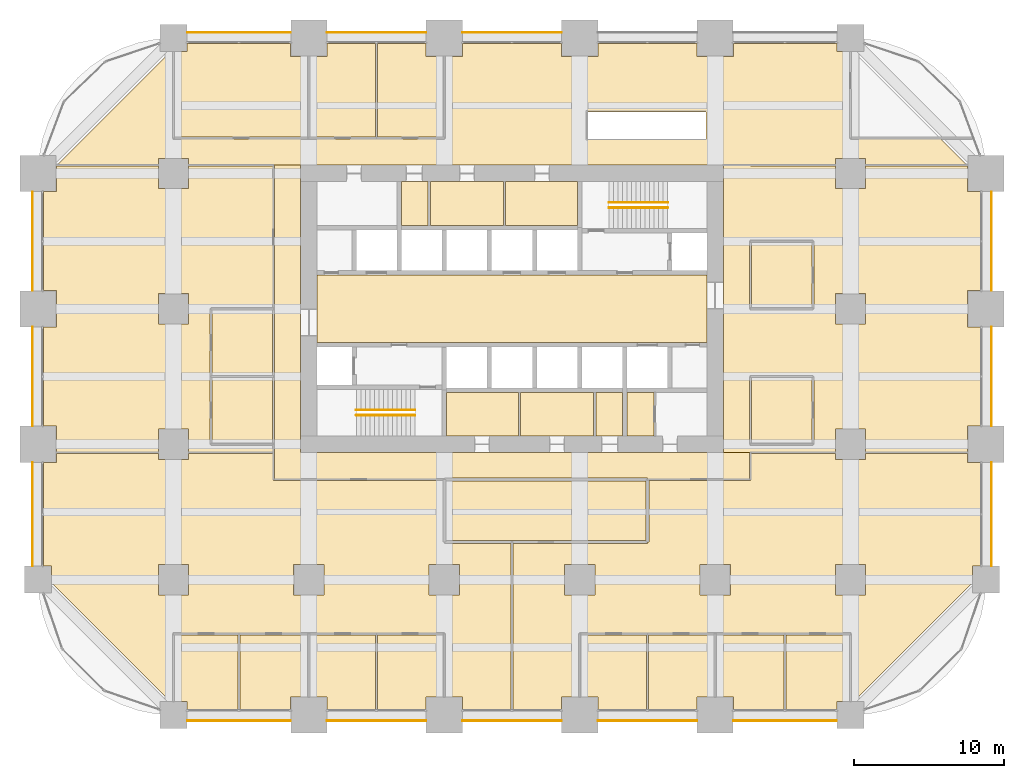
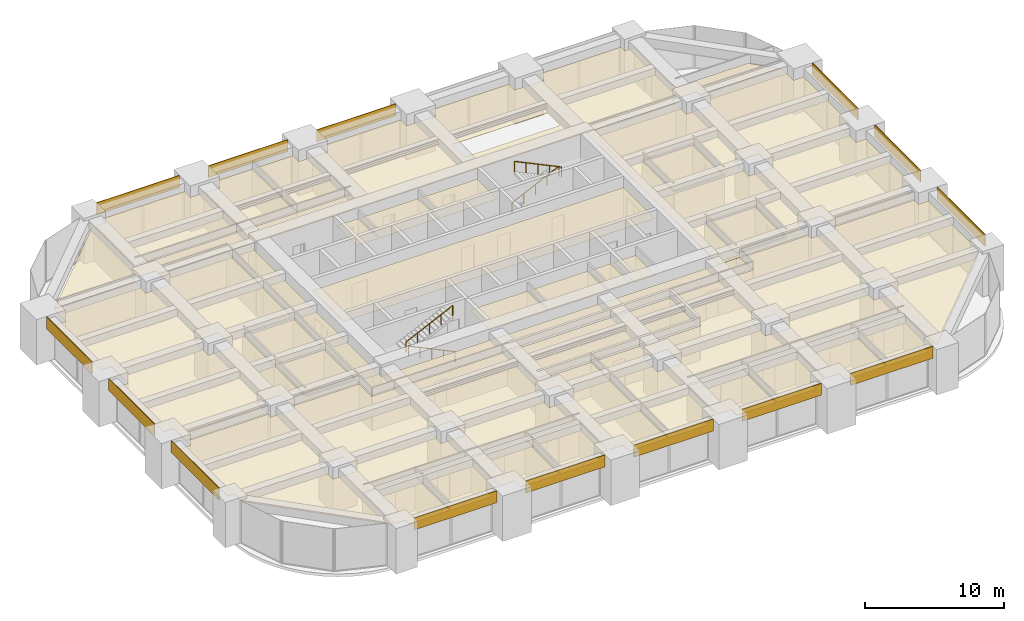
# One storey, part 40 of 41: 44 coverings, 4 railings.
"""IFC4 building model written with IfcOpenShell, lengths in metres."""

from ifc_helpers import new_model, si_unit, direction, frame, frame_2d, origin, origin_2d, place, context, subcontext, project, spatial, polyline, rectangle, circle, outline, extrude, material, layer, layer_set, type_object, element, save


model = new_model("IFC4")

# Units and contexts
model_context = context("Model", 3, precision=1e-05, world=origin(), true_north=direction((0.0, 1.0)))
body_context = subcontext(model_context, "Body", "Model", "MODEL_VIEW")
ifc_project = project(units=[si_unit("LENGTHUNIT", "METRE"), si_unit("AREAUNIT", "SQUARE_METRE"), si_unit("VOLUMEUNIT", "CUBIC_METRE"), si_unit("PLANEANGLEUNIT", "RADIAN"), si_unit("MASSUNIT", "GRAM", prefix="KILO")], contexts=[model_context])

# Site, building, storey
site_placement = place(None, origin())
site = spatial("IfcSite", under=ifc_project, at=site_placement, CompositionType="ELEMENT")
building_placement = place(site_placement, origin())
building = spatial("IfcBuilding", under=site, at=building_placement, Name="Zorevar Civic Tower", CompositionType="ELEMENT")
storey_placement = place(building_placement, frame((0.0, 0.0, 101.0)))
storey = spatial("IfcBuildingStorey", under=building, at=storey_placement, Name="L24", CompositionType="ELEMENT", Elevation=101.0)

# Railings
ifc_material_1 = material(Name="Black steel handrail", Category="steel")
railing_type = type_object("IfcRailingType", Name="Handrail HR1 900", PredefinedType="HANDRAIL", material=ifc_material_1)
railing_1_placement = place(storey_placement, frame((25.050048828125, 19.925048828125, 0.142822265625)))
element("IfcRailing", 1, at=railing_1_placement, inside=storey, type_object=railing_type, Name="Handrail HR1 ST1 L24", PredefinedType="HANDRAIL", context=body_context, shape_type="SweptSolid", body=[
    extrude(circle(Radius=0.02392578125, at=origin_2d()), frame((0.0, 0.0, 0.8759765625), z_axis=(-0.902863652845, 0.0, 0.429926998885), x_axis=(0.0, -1.0, 0.0)), (0.0, 0.0, 1.0), 4.31982421875),
    extrude(circle(Radius=0.02099609375, at=origin_2d()), origin(), (0.0, 0.0, 1.0), 0.851806640625),
    extrude(circle(Radius=0.02099609375, at=origin_2d()), frame((-0.97509765625, 0.0, 0.46435546875)), (0.0, 0.0, 1.0), 0.851806640625),
    extrude(circle(Radius=0.02099609375, at=origin_2d()), frame((-1.9501953125, 0.0, 0.9287109375)), (0.0, 0.0, 1.0), 0.851806640625),
    extrude(circle(Radius=0.02099609375, at=origin_2d()), frame((-2.925048828125, 0.0, 1.392822265625)), (0.0, 0.0, 1.0), 0.851806640625),
    extrude(circle(Radius=0.02099609375, at=origin_2d()), frame((-3.900146484375, 0.0, 1.857177734375)), (0.0, 0.0, 1.0), 0.851806640625),
])
for number, where, name in (
    (2, (21.14990234375, 20.27490234375, 2.142822265625), "Handrail HR1 ST1 L24"),
    (3, (37.949951171875, 34.074951171875, 0.142822265625), "Handrail HR1 ST2 L24"),
):
    element("IfcRailing", number, at=place(storey_placement, frame(where)), inside=storey, type_object=railing_type, Name=name, PredefinedType="HANDRAIL", context=body_context, shape_type="SweptSolid", body=[
        extrude(circle(Radius=0.02392578125, at=origin_2d()), frame((0.0, 0.0, 0.8759765625), z_axis=(0.902863652845, 0.0, 0.429926998885), x_axis=(0.0, 1.0, 0.0)), (0.0, 0.0, 1.0), 4.31982421875),
        extrude(circle(Radius=0.02099609375, at=origin_2d()), origin(), (0.0, 0.0, 1.0), 0.851806640625),
        extrude(circle(Radius=0.02099609375, at=origin_2d()), frame((0.97509765625, 0.0, 0.46435546875)), (0.0, 0.0, 1.0), 0.851806640625),
        extrude(circle(Radius=0.02099609375, at=origin_2d()), frame((1.9501953125, 0.0, 0.9287109375)), (0.0, 0.0, 1.0), 0.851806640625),
        extrude(circle(Radius=0.02099609375, at=origin_2d()), frame((2.925048828125, 0.0, 1.392822265625)), (0.0, 0.0, 1.0), 0.851806640625),
        extrude(circle(Radius=0.02099609375, at=origin_2d()), frame((3.900146484375, 0.0, 1.857177734375)), (0.0, 0.0, 1.0), 0.851806640625),
    ])
railing_2_placement = place(storey_placement, frame((41.85009765625, 33.72509765625, 2.142822265625)))
element("IfcRailing", 4, at=railing_2_placement, inside=storey, type_object=railing_type, Name="Handrail HR1 ST2 L24", PredefinedType="HANDRAIL", context=body_context, shape_type="SweptSolid", body=[
    extrude(circle(Radius=0.02392578125, at=origin_2d()), frame((0.0, 0.0, 0.8759765625), z_axis=(-0.902863652845, 0.0, 0.429926998885), x_axis=(0.0, -1.0, 0.0)), (0.0, 0.0, 1.0), 4.31982421875),
    extrude(circle(Radius=0.02099609375, at=origin_2d()), origin(), (0.0, 0.0, 1.0), 0.851806640625),
    extrude(circle(Radius=0.02099609375, at=origin_2d()), frame((-0.97509765625, 0.0, 0.46435546875)), (0.0, 0.0, 1.0), 0.851806640625),
    extrude(circle(Radius=0.02099609375, at=origin_2d()), frame((-1.9501953125, 0.0, 0.9287109375)), (0.0, 0.0, 1.0), 0.851806640625),
    extrude(circle(Radius=0.02099609375, at=origin_2d()), frame((-2.925048828125, 0.0, 1.392822265625)), (0.0, 0.0, 1.0), 0.851806640625),
    extrude(circle(Radius=0.02099609375, at=origin_2d()), frame((-3.900146484375, 0.0, 1.857177734375)), (0.0, 0.0, 1.0), 0.851806640625),
])

# Coverings
ifc_material_2 = material(Name="Moisture-resistant gypsum board")
ifc_layer_1 = layer(ifc_material_2, 0.012451171875)
ifc_layer_set_1 = layer_set([ifc_layer_1], Name="Moisture-resistant ceiling SC3")
covering_type_1 = type_object("IfcCoveringType", Name="Moisture-resistant ceiling SC3", PredefinedType="CEILING", material=ifc_layer_set_1)
covering_1_placement = place(storey_placement, frame((0.0, 0.0, 3.0)))
element("IfcCovering", 5, at=covering_1_placement, inside=storey, type_object=covering_type_1, Name="Ceiling L24-05", PredefinedType="CEILING", context=body_context, shape_type="SweptSolid", body=[
    extrude(outline(polyline([(31.925048828125, 18.550048828125), (31.925048828125, 21.449951171875), (27.14990234375, 21.449951171875), (27.14990234375, 18.550048828125), (31.925048828125, 18.550048828125)])), origin(), (0.0, 0.0, 1.0), 0.012451171875),
])
covering_2_placement = place(storey_placement, frame((0.0, 0.0, 3.0)))
element("IfcCovering", 6, at=covering_2_placement, inside=storey, type_object=covering_type_1, Name="Ceiling L24-06", PredefinedType="CEILING", context=body_context, shape_type="SweptSolid", body=[
    extrude(outline(polyline([(36.925048828125, 18.550048828125), (36.925048828125, 21.449951171875), (32.074951171875, 21.449951171875), (32.074951171875, 18.550048828125), (36.925048828125, 18.550048828125)])), origin(), (0.0, 0.0, 1.0), 0.012451171875),
])
covering_3_placement = place(storey_placement, frame((0.0, 0.0, 3.0)))
element("IfcCovering", 7, at=covering_3_placement, inside=storey, type_object=covering_type_1, Name="Ceiling L24-07", PredefinedType="CEILING", context=body_context, shape_type="SweptSolid", body=[
    extrude(outline(polyline([(38.85009765625, 18.550048828125), (38.85009765625, 21.449951171875), (37.074951171875, 21.449951171875), (37.074951171875, 18.550048828125), (38.85009765625, 18.550048828125)])), origin(), (0.0, 0.0, 1.0), 0.012451171875),
])
covering_4_placement = place(storey_placement, frame((0.0, 0.0, 3.0)))
element("IfcCovering", 8, at=covering_4_placement, inside=storey, type_object=covering_type_1, Name="Ceiling L24-08", PredefinedType="CEILING", context=body_context, shape_type="SweptSolid", body=[
    extrude(outline(polyline([(35.85009765625, 32.550048828125), (35.85009765625, 35.449951171875), (31.074951171875, 35.449951171875), (31.074951171875, 32.550048828125), (35.85009765625, 32.550048828125)])), origin(), (0.0, 0.0, 1.0), 0.012451171875),
])
covering_5_placement = place(storey_placement, frame((0.0, 0.0, 3.0)))
element("IfcCovering", 9, at=covering_5_placement, inside=storey, type_object=covering_type_1, Name="Ceiling L24-09", PredefinedType="CEILING", context=body_context, shape_type="SweptSolid", body=[
    extrude(outline(polyline([(30.925048828125, 32.550048828125), (30.925048828125, 35.449951171875), (26.074951171875, 35.449951171875), (26.074951171875, 32.550048828125), (30.925048828125, 32.550048828125)])), origin(), (0.0, 0.0, 1.0), 0.012451171875),
])
covering_6_placement = place(storey_placement, frame((0.0, 0.0, 3.0)))
element("IfcCovering", 10, at=covering_6_placement, inside=storey, type_object=covering_type_1, Name="Ceiling L24-10", PredefinedType="CEILING", context=body_context, shape_type="SweptSolid", body=[
    extrude(outline(polyline([(25.925048828125, 32.550048828125), (25.925048828125, 35.449951171875), (24.14990234375, 35.449951171875), (24.14990234375, 32.550048828125), (25.925048828125, 32.550048828125)])), origin(), (0.0, 0.0, 1.0), 0.012451171875),
])
ifc_material_3 = material(Name="Black anodised aluminium spandrel panel", Category="aluminium")
ifc_layer_2 = layer(ifc_material_3, 0.050048828125)
ifc_layer_set_2 = layer_set([ifc_layer_2], Name="Spandrel cladding SP1")
covering_type_2 = type_object("IfcCoveringType", Name="Spandrel cladding SP1", PredefinedType="CLADDING", material=ifc_layer_set_2)
covering_7_placement = place(storey_placement, frame((9.89990234375, -0.375, 2.949951171875), z_axis=(0.0, 0.0, 1.0), x_axis=(1.0, 0.0, 0.0)))
element("IfcCovering", 11, at=covering_7_placement, inside=storey, type_object=covering_type_2, Name="Spandrel cladding L25", PredefinedType="CLADDING", context=body_context, shape_type="SweptSolid", body=[
    extrude(rectangle(XDim=6.900146484375, YDim=0.050048828125, at=frame_2d((3.4501953125, 0.0))), origin(), (0.0, 0.0, 1.0), 1.050048828125),
])
for number, where, z_axis, x_axis, name in (
    (12, (19.199951171875, -0.375, 2.949951171875), (0.0, 0.0, 1.0), (1.0, 0.0, 0.0), "Spandrel cladding L25"),
    (13, (28.199951171875, -0.375, 2.949951171875), (0.0, 0.0, 1.0), (1.0, 0.0, 0.0), "Spandrel cladding L25"),
    (14, (37.199951171875, -0.375, 2.949951171875), (0.0, 0.0, 1.0), (1.0, 0.0, 0.0), "Spandrel cladding L25"),
):
    element("IfcCovering", number, at=place(storey_placement, frame(where, z_axis=z_axis, x_axis=x_axis)), inside=storey, type_object=covering_type_2, Name=name, PredefinedType="CLADDING", context=body_context, shape_type="SweptSolid", body=[
        extrude(rectangle(XDim=6.60009765625, YDim=0.050048828125, at=frame_2d((3.300048828125, 0.0))), origin(), (0.0, 0.0, 1.0), 1.050048828125),
    ])
for number, where, z_axis, x_axis, name in (
    (15, (46.199951171875, -0.375, 2.949951171875), (0.0, 0.0, 1.0), (1.0, 0.0, 0.0), "Spandrel cladding L25"),
    (16, (9.89990234375, 45.375, 2.949951171875), (0.0, 0.0, 1.0), (1.0, 0.0, 0.0), "Spandrel cladding L25"),
):
    element("IfcCovering", number, at=place(storey_placement, frame(where, z_axis=z_axis, x_axis=x_axis)), inside=storey, type_object=covering_type_2, Name=name, PredefinedType="CLADDING", context=body_context, shape_type="SweptSolid", body=[
        extrude(rectangle(XDim=6.900146484375, YDim=0.050048828125, at=frame_2d((3.4501953125, 0.0))), origin(), (0.0, 0.0, 1.0), 1.050048828125),
    ])
for number, where, z_axis, x_axis, name in (
    (17, (19.199951171875, 45.375, 2.949951171875), (0.0, 0.0, 1.0), (1.0, 0.0, 0.0), "Spandrel cladding L25"),
    (18, (28.199951171875, 45.375, 2.949951171875), (0.0, 0.0, 1.0), (1.0, 0.0, 0.0), "Spandrel cladding L25"),
):
    element("IfcCovering", number, at=place(storey_placement, frame(where, z_axis=z_axis, x_axis=x_axis)), inside=storey, type_object=covering_type_2, Name=name, PredefinedType="CLADDING", context=body_context, shape_type="SweptSolid", body=[
        extrude(rectangle(XDim=6.60009765625, YDim=0.050048828125, at=frame_2d((3.300048828125, 0.0))), origin(), (0.0, 0.0, 1.0), 1.050048828125),
    ])
covering_8_placement = place(storey_placement, frame((-0.375, 9.89990234375, 2.949951171875), z_axis=(0.0, 0.0, 1.0), x_axis=(0.0, 1.0, 0.0)))
element("IfcCovering", 19, at=covering_8_placement, inside=storey, type_object=covering_type_2, Name="Spandrel cladding L25", PredefinedType="CLADDING", context=body_context, shape_type="SweptSolid", body=[
    extrude(rectangle(XDim=6.900146484375, YDim=0.050048828125, at=frame_2d((3.4501953125, 0.0))), origin(), (0.0, 0.0, 1.0), 1.050048828125),
])
for number, where, z_axis, x_axis, name in (
    (20, (-0.375, 19.199951171875, 2.949951171875), (0.0, 0.0, 1.0), (0.0, 1.0, 0.0), "Spandrel cladding L25"),
    (21, (-0.375, 28.199951171875, 2.949951171875), (0.0, 0.0, 1.0), (0.0, 1.0, 0.0), "Spandrel cladding L25"),
):
    element("IfcCovering", number, at=place(storey_placement, frame(where, z_axis=z_axis, x_axis=x_axis)), inside=storey, type_object=covering_type_2, Name=name, PredefinedType="CLADDING", context=body_context, shape_type="SweptSolid", body=[
        extrude(rectangle(XDim=6.60009765625, YDim=0.050048828125, at=frame_2d((3.300048828125, 0.0))), origin(), (0.0, 0.0, 1.0), 1.050048828125),
    ])
covering_9_placement = place(storey_placement, frame((63.375, 9.89990234375, 2.949951171875), z_axis=(0.0, 0.0, 1.0), x_axis=(0.0, 1.0, 0.0)))
element("IfcCovering", 22, at=covering_9_placement, inside=storey, type_object=covering_type_2, Name="Spandrel cladding L25", PredefinedType="CLADDING", context=body_context, shape_type="SweptSolid", body=[
    extrude(rectangle(XDim=6.900146484375, YDim=0.050048828125, at=frame_2d((3.4501953125, 0.0))), origin(), (0.0, 0.0, 1.0), 1.050048828125),
])
for number, where, z_axis, x_axis, name in (
    (23, (63.375, 19.199951171875, 2.949951171875), (0.0, 0.0, 1.0), (0.0, 1.0, 0.0), "Spandrel cladding L25"),
    (24, (63.375, 28.199951171875, 2.949951171875), (0.0, 0.0, 1.0), (0.0, 1.0, 0.0), "Spandrel cladding L25"),
):
    element("IfcCovering", number, at=place(storey_placement, frame(where, z_axis=z_axis, x_axis=x_axis)), inside=storey, type_object=covering_type_2, Name=name, PredefinedType="CLADDING", context=body_context, shape_type="SweptSolid", body=[
        extrude(rectangle(XDim=6.60009765625, YDim=0.050048828125, at=frame_2d((3.300048828125, 0.0))), origin(), (0.0, 0.0, 1.0), 1.050048828125),
    ])
ifc_material_4 = material(Name="Mineral fibre tiles on a concealed grid")
ifc_layer_3 = layer(ifc_material_4, 0.02001953125)
ifc_layer_set_3 = layer_set([ifc_layer_3], Name="Suspended ceiling SC1")
covering_type_3 = type_object("IfcCoveringType", Name="Suspended ceiling SC1", PredefinedType="CEILING", material=ifc_layer_set_3)
covering_10_placement = place(storey_placement, frame((0.0, 0.0, 3.0)))
element("IfcCovering", 25, at=covering_10_placement, inside=storey, type_object=covering_type_3, Name="Ceiling L24-11", PredefinedType="CEILING", context=body_context, shape_type="SweptSolid", body=[
    extrude(outline(polyline([(40.93994140625, 18.550048828125), (40.93994140625, 21.449951171875), (39.14990234375, 21.449951171875), (39.14990234375, 18.550048828125), (40.93994140625, 18.550048828125)])), origin(), (0.0, 0.0, 1.0), 0.02001953125),
])
covering_11_placement = place(storey_placement, frame((0.0, 0.0, 3.0)))
element("IfcCovering", 26, at=covering_11_placement, inside=storey, type_object=covering_type_3, Name="Ceiling L24-16", PredefinedType="CEILING", context=body_context, shape_type="SweptSolid", body=[
    extrude(outline(polyline([(44.449951171875, 24.75), (44.449951171875, 29.25), (18.550048828125, 29.25), (18.550048828125, 24.75), (44.449951171875, 24.75)])), origin(), (0.0, 0.0, 1.0), 0.02001953125),
])
covering_12_placement = place(storey_placement, frame((0.0, 0.0, 3.0)))
element("IfcCovering", 27, at=covering_12_placement, inside=storey, type_object=covering_type_3, Name="Ceiling L24-17", PredefinedType="CEILING", context=body_context, shape_type="SweptSolid", body=[
    extrude(outline(polyline([(9.909912109375, 44.090087890625), (9.909912109375, 44.64990234375), (16.7900390625, 44.64990234375), (16.7900390625, 43.7900390625), (17.93994140625, 43.7900390625), (17.93994140625, 38.409912109375), (9.06005859375, 38.409912109375), (9.06005859375, 44.090087890625), (9.909912109375, 44.090087890625)])), origin(), (0.0, 0.0, 1.0), 0.02001953125),
])
covering_13_placement = place(storey_placement, frame((0.0, 0.0, 3.0)))
element("IfcCovering", 28, at=covering_13_placement, inside=storey, type_object=covering_type_3, Name="Ceiling L24-18", PredefinedType="CEILING", context=body_context, shape_type="SweptSolid", body=[
    extrude(outline(polyline([(18.06005859375, 38.409912109375), (18.06005859375, 43.7900390625), (19.2099609375, 43.7900390625), (19.2099609375, 44.64990234375), (22.43994140625, 44.64990234375), (22.43994140625, 38.409912109375), (18.06005859375, 38.409912109375)])), origin(), (0.0, 0.0, 1.0), 0.02001953125),
])
covering_14_placement = place(storey_placement, frame((0.0, 0.0, 3.0)))
element("IfcCovering", 29, at=covering_14_placement, inside=storey, type_object=covering_type_3, Name="Ceiling L24-19", PredefinedType="CEILING", context=body_context, shape_type="SweptSolid", body=[
    extrude(outline(polyline([(22.56005859375, 38.409912109375), (22.56005859375, 44.64990234375), (25.7900390625, 44.64990234375), (25.7900390625, 43.7900390625), (26.93994140625, 43.7900390625), (26.93994140625, 38.409912109375), (22.56005859375, 38.409912109375)])), origin(), (0.0, 0.0, 1.0), 0.02001953125),
])
covering_15_placement = place(storey_placement, frame((0.0, 0.0, 3.0)))
element("IfcCovering", 30, at=covering_15_placement, inside=storey, type_object=covering_type_3, Name="Ceiling L24-20", PredefinedType="CEILING", context=body_context, shape_type="SweptSolid", body=[
    extrude(outline(polyline([(13.2900390625, 5.340087890625), (13.2900390625, 0.35009765625), (9.909912109375, 0.35009765625), (9.909912109375, 0.909912109375), (9.06005859375, 0.909912109375), (9.06005859375, 5.340087890625), (13.2900390625, 5.340087890625)])), origin(), (0.0, 0.0, 1.0), 0.02001953125),
])
covering_16_placement = place(storey_placement, frame((0.0, 0.0, 3.0)))
element("IfcCovering", 31, at=covering_16_placement, inside=storey, type_object=covering_type_3, Name="Ceiling L24-21", PredefinedType="CEILING", context=body_context, shape_type="SweptSolid", body=[
    extrude(outline(polyline([(17.93994140625, 5.340087890625), (17.93994140625, 1.2099609375), (16.7900390625, 1.2099609375), (16.7900390625, 0.35009765625), (13.409912109375, 0.35009765625), (13.409912109375, 5.340087890625), (17.93994140625, 5.340087890625)])), origin(), (0.0, 0.0, 1.0), 0.02001953125),
])
covering_17_placement = place(storey_placement, frame((0.0, 0.0, 3.0)))
element("IfcCovering", 32, at=covering_17_placement, inside=storey, type_object=covering_type_3, Name="Ceiling L24-22", PredefinedType="CEILING", context=body_context, shape_type="SweptSolid", body=[
    extrude(outline(polyline([(22.43994140625, 5.340087890625), (22.43994140625, 0.35009765625), (19.2099609375, 0.35009765625), (19.2099609375, 1.2099609375), (18.06005859375, 1.2099609375), (18.06005859375, 5.340087890625), (22.43994140625, 5.340087890625)])), origin(), (0.0, 0.0, 1.0), 0.02001953125),
])
covering_18_placement = place(storey_placement, frame((0.0, 0.0, 3.0)))
element("IfcCovering", 33, at=covering_18_placement, inside=storey, type_object=covering_type_3, Name="Ceiling L24-23", PredefinedType="CEILING", context=body_context, shape_type="SweptSolid", body=[
    extrude(outline(polyline([(26.93994140625, 5.340087890625), (26.93994140625, 1.2099609375), (25.7900390625, 1.2099609375), (25.7900390625, 0.35009765625), (22.56005859375, 0.35009765625), (22.56005859375, 5.340087890625), (26.93994140625, 5.340087890625)])), origin(), (0.0, 0.0, 1.0), 0.02001953125),
])
covering_19_placement = place(storey_placement, frame((0.0, 0.0, 3.0)))
element("IfcCovering", 34, at=covering_19_placement, inside=storey, type_object=covering_type_3, Name="Ceiling L24-24", PredefinedType="CEILING", context=body_context, shape_type="SweptSolid", body=[
    extrude(outline(polyline([(40.43994140625, 5.340087890625), (40.43994140625, 0.35009765625), (37.2099609375, 0.35009765625), (37.2099609375, 1.2099609375), (36.06005859375, 1.2099609375), (36.06005859375, 5.340087890625), (40.43994140625, 5.340087890625)])), origin(), (0.0, 0.0, 1.0), 0.02001953125),
])
covering_20_placement = place(storey_placement, frame((0.0, 0.0, 3.0)))
element("IfcCovering", 35, at=covering_20_placement, inside=storey, type_object=covering_type_3, Name="Ceiling L24-25", PredefinedType="CEILING", context=body_context, shape_type="SweptSolid", body=[
    extrude(outline(polyline([(44.93994140625, 5.340087890625), (44.93994140625, 1.2099609375), (43.7900390625, 1.2099609375), (43.7900390625, 0.35009765625), (40.56005859375, 0.35009765625), (40.56005859375, 5.340087890625), (44.93994140625, 5.340087890625)])), origin(), (0.0, 0.0, 1.0), 0.02001953125),
])
covering_21_placement = place(storey_placement, frame((0.0, 0.0, 3.0)))
element("IfcCovering", 36, at=covering_21_placement, inside=storey, type_object=covering_type_3, Name="Ceiling L24-26", PredefinedType="CEILING", context=body_context, shape_type="SweptSolid", body=[
    extrude(outline(polyline([(49.590087890625, 5.340087890625), (49.590087890625, 0.35009765625), (46.2099609375, 0.35009765625), (46.2099609375, 1.2099609375), (45.06005859375, 1.2099609375), (45.06005859375, 5.340087890625), (49.590087890625, 5.340087890625)])), origin(), (0.0, 0.0, 1.0), 0.02001953125),
])
covering_22_placement = place(storey_placement, frame((0.0, 0.0, 3.0)))
element("IfcCovering", 37, at=covering_22_placement, inside=storey, type_object=covering_type_3, Name="Ceiling L24-27", PredefinedType="CEILING", context=body_context, shape_type="SweptSolid", body=[
    extrude(outline(polyline([(53.93994140625, 5.340087890625), (53.93994140625, 0.909912109375), (53.090087890625, 0.909912109375), (53.090087890625, 0.35009765625), (49.7099609375, 0.35009765625), (49.7099609375, 5.340087890625), (53.93994140625, 5.340087890625)])), origin(), (0.0, 0.0, 1.0), 0.02001953125),
])
covering_23_placement = place(storey_placement, frame((0.0, 0.0, 3.0)))
element("IfcCovering", 38, at=covering_23_placement, inside=storey, type_object=covering_type_3, Name="Ceiling L24-28", PredefinedType="CEILING", context=body_context, shape_type="SweptSolid", body=[
    extrude(outline(polyline([(40.39990234375, 15.550048828125), (40.39990234375, 11.60009765625), (27.10009765625, 11.60009765625), (27.10009765625, 15.550048828125), (40.39990234375, 15.550048828125)])), origin(), (0.0, 0.0, 1.0), 0.02001953125),
])
covering_24_placement = place(storey_placement, frame((0.0, 0.0, 3.0)))
element("IfcCovering", 39, at=covering_24_placement, inside=storey, type_object=covering_type_3, Name="Ceiling L24-29", PredefinedType="CEILING", context=body_context, shape_type="SweptSolid", body=[
    extrude(outline(polyline([(15.590087890625, 22.43994140625), (15.590087890625, 18.06005859375), (11.56005859375, 18.06005859375), (11.56005859375, 22.43994140625), (15.590087890625, 22.43994140625)])), origin(), (0.0, 0.0, 1.0), 0.02001953125),
])
covering_25_placement = place(storey_placement, frame((0.0, 0.0, 3.0)))
element("IfcCovering", 40, at=covering_25_placement, inside=storey, type_object=covering_type_3, Name="Ceiling L24-30", PredefinedType="CEILING", context=body_context, shape_type="SweptSolid", body=[
    extrude(outline(polyline([(11.56005859375, 26.93994140625), (15.590087890625, 26.93994140625), (15.590087890625, 22.56005859375), (11.56005859375, 22.56005859375), (11.56005859375, 26.93994140625)])), origin(), (0.0, 0.0, 1.0), 0.02001953125),
])
covering_26_placement = place(storey_placement, frame((0.0, 0.0, 3.0)))
element("IfcCovering", 41, at=covering_26_placement, inside=storey, type_object=covering_type_3, Name="Ceiling L24-31", PredefinedType="CEILING", context=body_context, shape_type="SweptSolid", body=[
    extrude(outline(polyline([(51.43994140625, 31.43994140625), (51.43994140625, 27.06005859375), (47.409912109375, 27.06005859375), (47.409912109375, 31.43994140625), (51.43994140625, 31.43994140625)])), origin(), (0.0, 0.0, 1.0), 0.02001953125),
])
covering_27_placement = place(storey_placement, frame((0.0, 0.0, 3.0)))
element("IfcCovering", 42, at=covering_27_placement, inside=storey, type_object=covering_type_3, Name="Ceiling L24-32", PredefinedType="CEILING", context=body_context, shape_type="SweptSolid", body=[
    extrude(outline(polyline([(51.43994140625, 18.06005859375), (47.409912109375, 18.06005859375), (47.409912109375, 22.43994140625), (51.43994140625, 22.43994140625), (51.43994140625, 18.06005859375)])), origin(), (0.0, 0.0, 1.0), 0.02001953125),
])
covering_28_placement = place(storey_placement, frame((0.0, 0.0, 3.0)))
element("IfcCovering", 43, at=covering_28_placement, inside=storey, type_object=covering_type_3, Name="Ceiling L24-34", PredefinedType="CEILING", context=body_context, shape_type="SweptSolid", body=[
    extrude(outline(polyline([(47.300048828125, 15.699951171875), (40.5, 15.699951171875), (40.5, 15.75), (27.0, 15.75), (27.0, 15.699951171875), (15.699951171875, 15.699951171875), (15.699951171875, 18.0), (15.7099609375, 18.0), (15.7099609375, 27.0), (15.699951171875, 27.0), (15.699951171875, 36.550048828125), (17.449951171875, 36.550048828125), (17.449951171875, 17.449951171875), (47.300048828125, 17.449951171875), (47.300048828125, 15.699951171875)])), origin(), (0.0, 0.0, 1.0), 0.02001953125),
])
covering_29_placement = place(storey_placement, frame((0.0, 0.0, 3.0)))
element("IfcCovering", 44, at=covering_29_placement, inside=storey, type_object=covering_type_3, Name="Ceiling L24-35", PredefinedType="CEILING", context=body_context, shape_type="SweptSolid", body=[
    extrude(outline(polyline([(47.35009765625, 36.5), (52.989990234375, 36.5), (52.989990234375, 34.989990234375), (55.010009765625, 34.989990234375), (55.010009765625, 36.5), (61.7900390625, 36.5), (61.7900390625, 34.7900390625), (62.64990234375, 34.7900390625), (62.64990234375, 28.2099609375), (61.7900390625, 28.2099609375), (61.7900390625, 25.7900390625), (62.64990234375, 25.7900390625), (62.64990234375, 19.2099609375), (61.7900390625, 19.2099609375), (61.7900390625, 17.5), (55.010009765625, 17.5), (55.010009765625, 19.010009765625), (52.989990234375, 19.010009765625), (52.989990234375, 17.5), (47.35009765625, 17.5), (47.35009765625, 17.449951171875), (45.550048828125, 17.449951171875), (45.550048828125, 36.550048828125), (47.35009765625, 36.550048828125), (47.35009765625, 36.5)]), holes=[polyline([(47.2900390625, 18.0), (47.35009765625, 18.0), (47.35009765625, 17.93994140625), (51.5, 17.93994140625), (51.5, 18.0), (51.56005859375, 18.0), (51.56005859375, 22.5), (51.5, 22.5), (51.5, 22.56005859375), (47.35009765625, 22.56005859375), (47.35009765625, 22.5), (47.2900390625, 22.5), (47.2900390625, 18.0)]), polyline([(47.2900390625, 27.0), (47.35009765625, 27.0), (47.35009765625, 26.93994140625), (51.5, 26.93994140625), (51.5, 27.0), (51.56005859375, 27.0), (51.56005859375, 31.5), (51.5, 31.5), (51.5, 31.56005859375), (47.35009765625, 31.56005859375), (47.35009765625, 31.5), (47.2900390625, 31.5), (47.2900390625, 27.0)]), polyline([(55.010009765625, 28.010009765625), (52.989990234375, 28.010009765625), (52.989990234375, 25.989990234375), (55.010009765625, 25.989990234375), (55.010009765625, 28.010009765625)])]), origin(), (0.0, 0.0, 1.0), 0.02001953125),
])
covering_30_placement = place(storey_placement, frame((0.0, 0.0, 3.0)))
element("IfcCovering", 45, at=covering_30_placement, inside=storey, type_object=covering_type_3, Name="Ceiling L24-36", PredefinedType="CEILING", context=body_context, shape_type="SweptSolid", body=[
    extrude(outline(polyline([(28.2099609375, 44.64990234375), (34.7900390625, 44.64990234375), (34.7900390625, 43.7900390625), (37.2099609375, 43.7900390625), (37.2099609375, 44.64990234375), (43.7900390625, 44.64990234375), (43.7900390625, 43.7900390625), (46.2099609375, 43.7900390625), (46.2099609375, 44.64990234375), (53.090087890625, 44.64990234375), (53.090087890625, 44.090087890625), (53.93994140625, 44.090087890625), (53.93994140625, 38.35009765625), (54.0, 38.35009765625), (54.0, 38.2900390625), (60.0029296875, 38.2900390625), (61.69287109375, 36.60009765625), (55.010009765625, 36.60009765625), (55.010009765625, 37.010009765625), (52.989990234375, 37.010009765625), (52.989990234375, 36.60009765625), (47.35009765625, 36.60009765625), (47.35009765625, 36.550048828125), (15.64990234375, 36.550048828125), (15.64990234375, 36.60009765625), (10.010009765625, 36.60009765625), (10.010009765625, 37.010009765625), (7.989990234375, 37.010009765625), (7.989990234375, 36.60009765625), (1.30712890625, 36.60009765625), (8.797119140625, 44.090087890625), (8.93994140625, 44.090087890625), (8.93994140625, 38.35009765625), (9.0, 38.35009765625), (9.0, 38.2900390625), (27.0, 38.2900390625), (27.0, 38.35009765625), (27.06005859375, 38.35009765625), (27.06005859375, 43.7900390625), (28.2099609375, 43.7900390625), (28.2099609375, 44.64990234375)]), holes=[polyline([(36.5, 40.10009765625), (36.5, 38.300048828125), (44.39990234375, 38.300048828125), (44.39990234375, 40.10009765625), (36.5, 40.10009765625)])]), origin(), (0.0, 0.0, 1.0), 0.02001953125),
])
covering_31_placement = place(storey_placement, frame((0.0, 0.0, 3.0)))
element("IfcCovering", 46, at=covering_31_placement, inside=storey, type_object=covering_type_3, Name="Ceiling L24-37", PredefinedType="CEILING", context=body_context, shape_type="SweptSolid", body=[
    extrude(outline(polyline([(0.909912109375, 9.909912109375), (0.35009765625, 9.909912109375), (0.35009765625, 16.7900390625), (1.2099609375, 16.7900390625), (1.2099609375, 17.39990234375), (7.989990234375, 17.39990234375), (7.989990234375, 16.989990234375), (10.010009765625, 16.989990234375), (10.010009765625, 17.39990234375), (15.60009765625, 17.39990234375), (15.60009765625, 15.64990234375), (15.64990234375, 15.64990234375), (15.64990234375, 15.60009765625), (26.89990234375, 15.60009765625), (26.89990234375, 11.5), (27.0, 11.5), (27.0, 11.39990234375), (31.449951171875, 11.39990234375), (31.449951171875, 0.35009765625), (28.2099609375, 0.35009765625), (28.2099609375, 1.2099609375), (27.06005859375, 1.2099609375), (27.06005859375, 5.39990234375), (27.0, 5.39990234375), (27.0, 5.4599609375), (9.0, 5.4599609375), (9.0, 5.39990234375), (8.93994140625, 5.39990234375), (8.93994140625, 0.909912109375), (8.797119140625, 0.909912109375), (0.909912109375, 8.797119140625), (0.909912109375, 9.909912109375)]), holes=[polyline([(7.989990234375, 10.010009765625), (7.989990234375, 7.989990234375), (10.010009765625, 7.989990234375), (10.010009765625, 10.010009765625), (7.989990234375, 10.010009765625)]), polyline([(19.010009765625, 7.989990234375), (19.010009765625, 10.010009765625), (16.989990234375, 10.010009765625), (16.989990234375, 7.989990234375), (19.010009765625, 7.989990234375)]), polyline([(25.989990234375, 10.010009765625), (25.989990234375, 7.989990234375), (28.010009765625, 7.989990234375), (28.010009765625, 10.010009765625), (25.989990234375, 10.010009765625)])]), origin(), (0.0, 0.0, 1.0), 0.02001953125),
])
covering_32_placement = place(storey_placement, frame((0.0, 0.0, 3.0)))
element("IfcCovering", 47, at=covering_32_placement, inside=storey, type_object=covering_type_3, Name="Ceiling L24-38", PredefinedType="CEILING", context=body_context, shape_type="SweptSolid", body=[
    extrude(outline(polyline([(62.090087890625, 8.797119140625), (54.202880859375, 0.909912109375), (54.06005859375, 0.909912109375), (54.06005859375, 5.39990234375), (54.0, 5.39990234375), (54.0, 5.4599609375), (36.0, 5.4599609375), (36.0, 5.39990234375), (35.93994140625, 5.39990234375), (35.93994140625, 1.2099609375), (34.7900390625, 1.2099609375), (34.7900390625, 0.35009765625), (31.550048828125, 0.35009765625), (31.550048828125, 11.39990234375), (40.5, 11.39990234375), (40.5, 11.5), (40.60009765625, 11.5), (40.60009765625, 15.60009765625), (47.35009765625, 15.60009765625), (47.35009765625, 15.64990234375), (47.39990234375, 15.64990234375), (47.39990234375, 17.39990234375), (52.989990234375, 17.39990234375), (52.989990234375, 16.989990234375), (55.010009765625, 16.989990234375), (55.010009765625, 17.39990234375), (61.7900390625, 17.39990234375), (61.7900390625, 16.7900390625), (62.64990234375, 16.7900390625), (62.64990234375, 9.909912109375), (62.090087890625, 9.909912109375), (62.090087890625, 8.797119140625)]), holes=[polyline([(37.010009765625, 7.989990234375), (37.010009765625, 10.010009765625), (34.989990234375, 10.010009765625), (34.989990234375, 7.989990234375), (37.010009765625, 7.989990234375)]), polyline([(43.989990234375, 7.989990234375), (46.010009765625, 7.989990234375), (46.010009765625, 10.010009765625), (43.989990234375, 10.010009765625), (43.989990234375, 7.989990234375)]), polyline([(55.010009765625, 10.010009765625), (52.989990234375, 10.010009765625), (52.989990234375, 7.989990234375), (55.010009765625, 7.989990234375), (55.010009765625, 10.010009765625)])]), origin(), (0.0, 0.0, 1.0), 0.02001953125),
])
covering_33_placement = place(storey_placement, frame((0.0, 0.0, 3.0)))
element("IfcCovering", 48, at=covering_33_placement, inside=storey, type_object=covering_type_3, Name="Ceiling L24-39", PredefinedType="CEILING", context=body_context, shape_type="SweptSolid", body=[
    extrude(outline(polyline([(10.010009765625, 19.010009765625), (7.989990234375, 19.010009765625), (7.989990234375, 17.5), (1.2099609375, 17.5), (1.2099609375, 19.2099609375), (0.35009765625, 19.2099609375), (0.35009765625, 25.7900390625), (1.2099609375, 25.7900390625), (1.2099609375, 28.2099609375), (0.35009765625, 28.2099609375), (0.35009765625, 34.7900390625), (1.2099609375, 34.7900390625), (1.2099609375, 36.5), (7.989990234375, 36.5), (7.989990234375, 34.989990234375), (10.010009765625, 34.989990234375), (10.010009765625, 36.5), (15.60009765625, 36.5), (15.60009765625, 27.06005859375), (11.5, 27.06005859375), (11.5, 27.0), (11.43994140625, 27.0), (11.43994140625, 18.0), (11.5, 18.0), (11.5, 17.93994140625), (15.60009765625, 17.93994140625), (15.60009765625, 17.5), (10.010009765625, 17.5), (10.010009765625, 19.010009765625)]), holes=[polyline([(7.989990234375, 28.010009765625), (7.989990234375, 25.989990234375), (10.010009765625, 25.989990234375), (10.010009765625, 28.010009765625), (7.989990234375, 28.010009765625)])]), origin(), (0.0, 0.0, 1.0), 0.02001953125),
])

save(model, "model.ifc")
